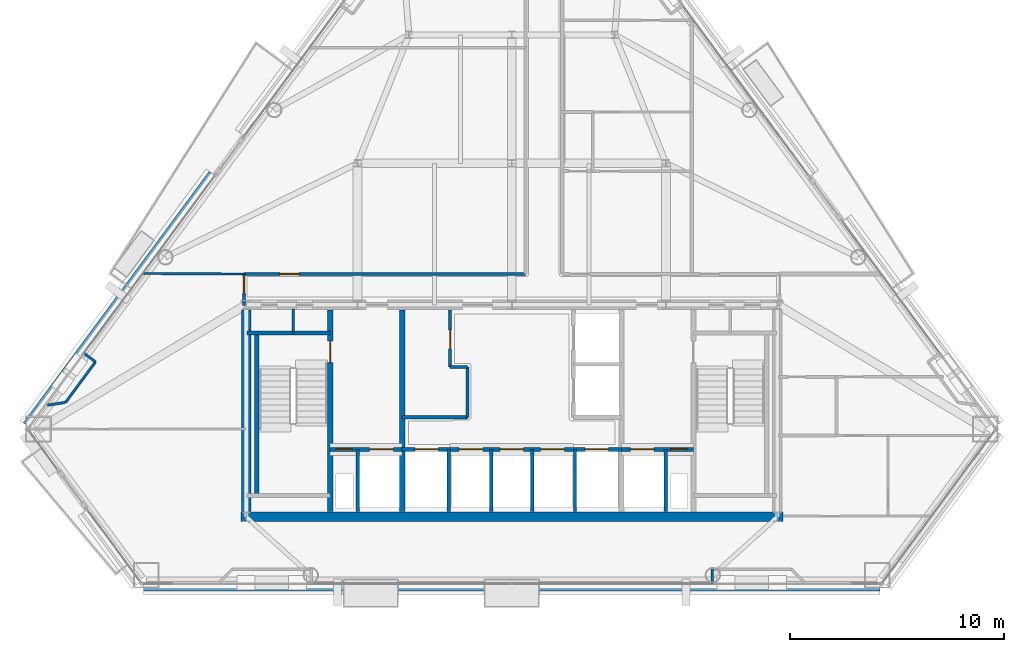
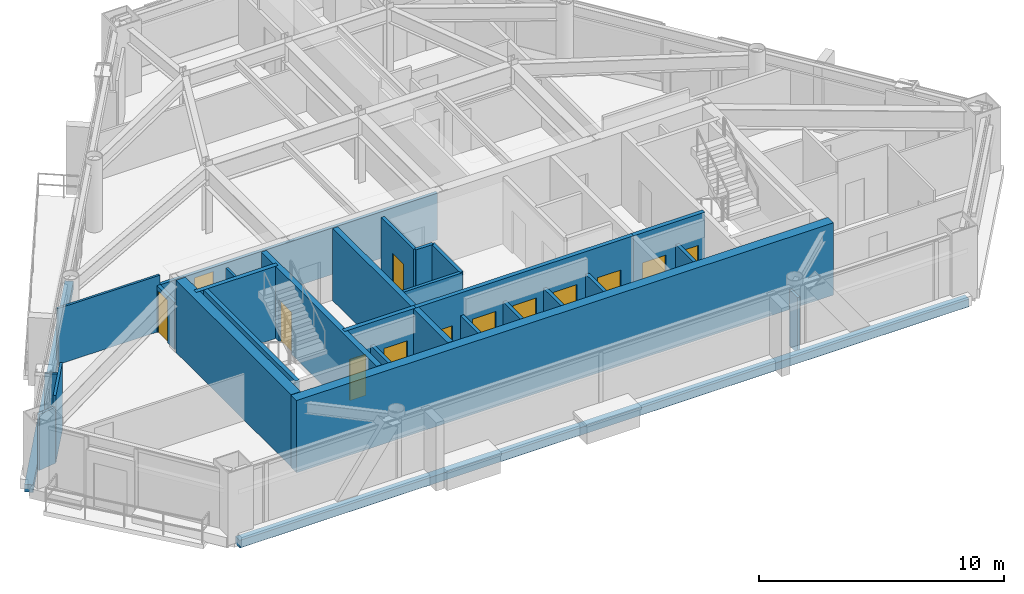
# One storey, part 7 of 11: 29 walls, 13 doors, 13 openings.
"""IFC4 building model written with IfcOpenShell, lengths in metres."""

import ifcopenshell
import ifcopenshell.guid

model = None  # the IFC model being written
_history = None  # IfcOwnerHistory: only IFC2X3 demands one
_inside = {}  # id of a spatial element -> (the spatial element, [elements in it])
_under = {}  # id of a project, library or spatial element -> (it, [spatial elements below it])
_declared = {}  # id of a project -> (the project, [libraries it declares])
_typed = {}  # id of a type object -> (the type object, [elements of that type])
_made_of = {}  # id of a material, layer set ... -> (it, [elements and type objects made of it])


def new_model(schema):
    """Start an empty IFC model of exactly this schema.

    Asked for "IFC4X3", IfcOpenShell would pick the latest addendum, in which some entities
    have other attributes; the version numbers below select the first issue.
    IFC2X3 requires an IfcOwnerHistory on every rooted entity: one is made here for all.
    """
    global model, _history
    if schema == "IFC4X3":
        model = ifcopenshell.file(schema_version=(4, 3, 0, 0))
    else:
        model = ifcopenshell.file(schema=schema)
    _inside.clear()
    _under.clear()
    _declared.clear()
    _typed.clear()
    _made_of.clear()
    _history = None
    if model.schema == "IFC2X3":
        org = make("IfcOrganization", Name="unknown")
        user = make(
            "IfcPersonAndOrganization",
            ThePerson=make("IfcPerson", FamilyName="unknown"),
            TheOrganization=org,
        )
        app = make(
            "IfcApplication",
            ApplicationDeveloper=org,
            Version="unknown",
            ApplicationFullName="unknown",
            ApplicationIdentifier="unknown",
        )
        _history = make(
            "IfcOwnerHistory",
            OwningUser=user,
            OwningApplication=app,
            ChangeAction="ADDED",
            CreationDate=0,
        )
    return model


def make(cls, **values):
    """One entity of the class cls with the attributes given. An attribute that is None is left unset."""
    return model.create_entity(
        cls, **{name: value for name, value in values.items() if value is not None}
    )


def rooted(cls, **values):
    """An entity with a GlobalId (a new one), such as an element, a storey or a relation."""
    return make(cls, GlobalId=ifcopenshell.guid.new(), OwnerHistory=_history, **values)


def si_unit(unit_type, name, prefix=None):
    """IfcSIUnit, for example si_unit("LENGTHUNIT", "METRE", prefix="MILLI")."""
    return make("IfcSIUnit", UnitType=unit_type, Prefix=prefix, Name=name)


def assignment(units):
    """IfcUnitAssignment: the units of a project."""
    return None if units is None else make("IfcUnitAssignment", Units=units)


def point(xyz):
    """IfcCartesianPoint."""
    return None if xyz is None else make("IfcCartesianPoint", Coordinates=xyz)


def direction(xyz):
    """IfcDirection."""
    return None if xyz is None else make("IfcDirection", DirectionRatios=xyz)


def frame(location, z_axis=None, x_axis=None):
    """IfcAxis2Placement3D, a coordinate frame: its origin and axes. An axis left out is left unset."""
    return make(
        "IfcAxis2Placement3D",
        Location=point(location),
        Axis=direction(z_axis),
        RefDirection=direction(x_axis),
    )


def frame_2d(location, x_axis=None):
    """IfcAxis2Placement2D, a coordinate frame in the plane: its origin and x axis."""
    return make(
        "IfcAxis2Placement2D", Location=point(location), RefDirection=direction(x_axis)
    )


def origin():
    """The frame at (0, 0, 0) with its axes left unset."""
    return frame((0.0, 0.0, 0.0))


def place(relative_to, where):
    """IfcLocalPlacement: puts the frame where relative to a parent placement (None: the world)."""
    return make(
        "IfcLocalPlacement", PlacementRelTo=relative_to, RelativePlacement=where
    )


def context(
    kind, dimensions, precision=None, world=None, true_north=None, identifier=None
):
    """IfcGeometricRepresentationContext, for example the 3D "Model" context."""
    return make(
        "IfcGeometricRepresentationContext",
        ContextIdentifier=identifier,
        ContextType=kind,
        CoordinateSpaceDimension=dimensions,
        Precision=precision,
        WorldCoordinateSystem=world,
        TrueNorth=true_north,
    )


def subcontext(parent, identifier, kind, view, scale=None):
    """IfcGeometricRepresentationSubContext, for example "Body" below "Model"."""
    return make(
        "IfcGeometricRepresentationSubContext",
        ContextIdentifier=identifier,
        ContextType=kind,
        ParentContext=parent,
        TargetScale=scale,
        TargetView=view,
    )


def project(units=None, contexts=None):
    """IfcProject with its units and contexts."""
    return rooted(
        "IfcProject",
        Name="project",
        RepresentationContexts=contexts,
        UnitsInContext=assignment(units),
    )


def spatial(cls, under=None, at=None, **own):
    """A site, building, storey or space (cls), placed at a placement, below another one or the project."""
    s = rooted(cls, ObjectPlacement=at, **own)
    if under is not None:
        _under.setdefault(under.id(), (under, []))[1].append(s)
    return s


def profile(cls, at=None, kind="AREA", **sizes):
    """A parametric profile (cls). Its sizes go by their IFC names, for example OverallWidth=200.0."""
    return make(cls, ProfileType=kind, Position=at, **sizes)


def rectangle(**sizes):
    """IfcRectangleProfileDef."""
    return profile("IfcRectangleProfileDef", **sizes)


def extrude(swept, where, along, depth):
    """IfcExtrudedAreaSolid: the profile swept, set in the frame where, extruded along a direction by depth."""
    return make(
        "IfcExtrudedAreaSolid",
        SweptArea=swept,
        Position=where,
        ExtrudedDirection=direction(along),
        Depth=depth,
    )


def shape(context_of_items, identifier, shape_type, items):
    """IfcShapeRepresentation: the items that make up one representation, for example the "Body"."""
    return make(
        "IfcShapeRepresentation",
        ContextOfItems=context_of_items,
        RepresentationIdentifier=identifier,
        RepresentationType=shape_type,
        Items=items,
    )


def material(Name=None, Category=None):
    """IfcMaterial."""
    return make("IfcMaterial", Name=Name, Category=Category)


def layer(
    of_material, thickness, ventilated=None, Name=None, Category=None, Priority=None
):
    """IfcMaterialLayer: one layer of a wall or slab, of a material (None: an air gap)."""
    return make(
        "IfcMaterialLayer",
        Material=of_material,
        LayerThickness=thickness,
        IsVentilated=ventilated,
        Name=Name,
        Category=Category,
        Priority=Priority,
    )


def layer_set(layers, Name=None):
    """IfcMaterialLayerSet."""
    return make("IfcMaterialLayerSet", MaterialLayers=layers, LayerSetName=Name)


def made_of(thing, what):
    """Note that an element or type object is made of a material, layer set ...; save() writes the relation."""
    if what is not None:
        _made_of.setdefault(what.id(), (what, []))[1].append(thing)
    return thing


def type_object(cls, material=None, **own):
    """A type object (cls), such as IfcWallType, which elements share."""
    return made_of(rooted(cls, **own), material)


def element(
    cls,
    number,
    at=None,
    inside=None,
    cuts=None,
    type_object=None,
    material=None,
    context=None,
    identifier="Body",
    shape_type=None,
    held_by="IfcProductDefinitionShape",
    body=None,
    shapes=None,
    **own,
):
    """One element of the class cls, such as IfcWall. Its Tag is "e" and its number.

    at: its placement. inside: the storey or other place that contains it. cuts: it is an
    opening in that element (IfcRelVoidsElement). A single representation is given by context,
    identifier, shape_type and body (its items); several are given by shapes. held_by: the class
    of the entity that holds the representations. save() writes the other relations.
    """
    e = rooted(cls, Tag="e%d" % number, ObjectPlacement=at, **own)
    if body is not None:
        shapes = [shape(context, identifier, shape_type, body)]
    if shapes is not None:
        e.Representation = make(held_by, Representations=shapes)
    if inside is not None:
        _inside.setdefault(inside.id(), (inside, []))[1].append(e)
    if cuts is not None:
        rooted(
            "IfcRelVoidsElement", RelatingBuildingElement=cuts, RelatedOpeningElement=e
        )
    if type_object is not None:
        _typed.setdefault(type_object.id(), (type_object, []))[1].append(e)
    return made_of(e, material)


def fill(opening, filler):
    """IfcRelFillsElement: the door or window that sits in an opening."""
    return rooted(
        "IfcRelFillsElement",
        RelatingOpeningElement=opening,
        RelatedBuildingElement=filler,
    )


def aggregate(whole, parts):
    """IfcRelAggregates: a whole, such as a stair, and the parts it consists of."""
    return rooted("IfcRelAggregates", RelatingObject=whole, RelatedObjects=parts)


def save(model, path):
    """Write the relations noted so far, then the file.

    IfcRelAggregates (storeys below a building ...), IfcRelContainedInSpatialStructure (elements
    in a storey), IfcRelDefinesByType, IfcRelAssociatesMaterial and IfcRelDeclares: one each for
    every whole, place, type object, material and project.
    """
    for whole, parts in _under.values():
        aggregate(whole, parts)
    for where, things in _inside.values():
        rooted(
            "IfcRelContainedInSpatialStructure",
            RelatedElements=things,
            RelatingStructure=where,
        )
    for kind, things in _typed.values():
        rooted("IfcRelDefinesByType", RelatedObjects=things, RelatingType=kind)
    for what, things in _made_of.values():
        rooted("IfcRelAssociatesMaterial", RelatedObjects=things, RelatingMaterial=what)
    for by, libraries in _declared.values():
        rooted("IfcRelDeclares", RelatingContext=by, RelatedDefinitions=libraries)
    model.write(path)


model = new_model("IFC4")

# Units and contexts
model_context = context("Model", 3, precision=1e-05, world=origin(), true_north=direction((0.0, 1.0)))
body_context = subcontext(model_context, "Body", "Model", "MODEL_VIEW")
ifc_project = project(units=[si_unit("LENGTHUNIT", "METRE"), si_unit("AREAUNIT", "SQUARE_METRE"), si_unit("VOLUMEUNIT", "CUBIC_METRE"), si_unit("PLANEANGLEUNIT", "RADIAN"), si_unit("MASSUNIT", "GRAM", prefix="KILO")], contexts=[model_context])

# Site, building, storey
site_placement = place(None, origin())
site = spatial("IfcSite", under=ifc_project, at=site_placement, CompositionType="ELEMENT")
building_placement = place(site_placement, origin())
building = spatial("IfcBuilding", under=site, at=building_placement, Name="Talgorran Terracotta Tower", CompositionType="ELEMENT")
storey_placement = place(building_placement, frame((0.0, 0.0, 136.5)))
storey = spatial("IfcBuildingStorey", under=building, at=storey_placement, Name="L35", CompositionType="ELEMENT", Elevation=136.5)

# Walls
ifc_material_1 = material(Name="Concrete C50/60", Category="concrete")
ifc_layer_1 = layer(ifc_material_1, 0.199951171875, Name="WT_CORE_200")
ifc_layer_set_1 = layer_set([ifc_layer_1], Name="Concrete C50/60")
wall_type_1 = type_object("IfcWallType", Name="WT_CORE_200", PredefinedType="SOLIDWALL", material=ifc_layer_set_1)
wall_1_placement = place(storey_placement, frame((-12.35009765625, -5.52001953125, 0.0), z_axis=(0.0, 0.0, 1.0), x_axis=(1.0, 0.0, 0.0)))
element("IfcWall", 1, at=wall_1_placement, inside=storey, type_object=wall_type_1, Name="WL-L35-CW-ST1-N", PredefinedType="SOLIDWALL", context=body_context, shape_type="SweptSolid", body=[
    extrude(rectangle(XDim=3.8701171875, YDim=0.199951171875, at=frame_2d((1.93505859375, 0.0))), origin(), (0.0, 0.0, 1.0), 3.60009765625),
])
wall_2_placement = place(storey_placement, frame((-11.89990234375, -13.10009765625, 0.0), z_axis=(0.0, 0.0, 1.0), x_axis=(0.0, 1.0, 0.0)))
element("IfcWall", 2, at=wall_2_placement, inside=storey, type_object=wall_type_1, Name="WL-L35-CW-ST1-W", PredefinedType="SOLIDWALL", context=body_context, shape_type="SweptSolid", body=[
    extrude(rectangle(XDim=7.580078125, YDim=0.199951171875, at=frame_2d((3.7900390625, 0.0))), origin(), (0.0, 0.0, 1.0), 3.60009765625),
])

# Wall, openings, doors
wall_3_placement = place(storey_placement, frame((-8.47998046875, -10.949951171875, 0.0), z_axis=(0.0, 0.0, 1.0), x_axis=(1.0, 0.0, 0.0)))
wall_3 = element("IfcWall", 3, at=wall_3_placement, inside=storey, type_object=wall_type_1, Name="WL-L35-CW-H-SBW", PredefinedType="SOLIDWALL", context=body_context, shape_type="SweptSolid", body=[
    extrude(rectangle(XDim=3.35986328125, YDim=0.199951171875, at=frame_2d((1.679931640625, 0.0))), origin(), (0.0, 0.0, 1.0), 3.60009765625),
])
opening_1_placement = place(wall_3_placement, frame((0.280029296875, 0.0, 0.0)))
opening_1 = element("IfcOpeningElement", 4, at=opening_1_placement, cuts=wall_3, Name="Opening DR-RSW", PredefinedType="OPENING", context=body_context, shape_type="SweptSolid", body=[
    extrude(rectangle(XDim=0.756, YDim=2.054048828125, at=frame_2d((0.375, 1.027099609375))), frame((0.0, 0.10986328125, 0.0), z_axis=(0.0, -1.0, 0.0), x_axis=(1.0, 0.0, 0.0)), (0.0, 0.0, 1.0), 0.219970703125),
])
opening_2_placement = place(wall_3_placement, frame((1.85009765625, 0.0, 0.0)))
opening_2 = element("IfcOpeningElement", 5, at=opening_2_placement, cuts=wall_3, Name="Opening LD-FFL1", PredefinedType="OPENING", context=body_context, shape_type="SweptSolid", body=[
    extrude(rectangle(XDim=1.10609765625, YDim=2.10409765625, at=frame_2d((0.550048828125, 1.052001953125))), frame((0.0, 0.10986328125, 0.0), z_axis=(0.0, -1.0, 0.0), x_axis=(1.0, 0.0, 0.0)), (0.0, 0.0, 1.0), 0.219970703125),
])
ifc_material_2 = material(Name="Brushed Stainless Steel Grade 304", Category="steel")
door_type_1 = type_object("IfcDoorType", Name="DT_LIFT_LD1100", OperationType="DOUBLE_DOOR_SLIDING", PredefinedType="DOOR", material=ifc_material_2)
door_1_placement = place(opening_2_placement, origin())
door_1 = element("IfcDoor", 6, at=door_1_placement, inside=storey, type_object=door_type_1, Name="L35 Lift Landing Door LD-FFL1", OperationType="DOUBLE_DOOR_SLIDING", OverallHeight=2.10009765625, OverallWidth=1.10009765625, PredefinedType="DOOR", context=body_context, shape_type="SweptSolid", body=[
    extrude(rectangle(XDim=1.10009765625, YDim=2.10009765625, at=frame_2d((0.550048828125, 1.050048828125))), frame((0.0, 0.02490234375, 0.0), z_axis=(0.0, -1.0, 0.0), x_axis=(1.0, 0.0, 0.0)), (0.0, 0.0, 1.0), 0.050048828125),
])
fill(opening_2, door_1)
ifc_material_3 = material(Name="Fire-Rated Pressed Steel", Category="steel")
door_type_2 = type_object("IfcDoorType", Name="DT_RISER_750", OperationType="NOTDEFINED", PredefinedType="DOOR", material=ifc_material_3)
door_2_placement = place(opening_1_placement, origin())
door_2 = element("IfcDoor", 7, at=door_2_placement, inside=storey, type_object=door_type_2, Name="DR-RSW", OperationType="SINGLE_SWING_LEFT", OverallHeight=2.050048828125, OverallWidth=0.75, PredefinedType="DOOR", context=body_context, shape_type="SweptSolid", body=[
    extrude(rectangle(XDim=0.75, YDim=2.050048828125, at=frame_2d((0.375, 1.02490234375))), frame((0.0, 0.02490234375, 0.0), z_axis=(0.0, -1.0, 0.0), x_axis=(1.0, 0.0, 0.0)), (0.0, 0.0, 1.0), 0.050048828125),
])
fill(opening_1, door_2)

wall_4_placement = place(storey_placement, frame((-5.1201171875, -10.949951171875, 0.0), z_axis=(0.0, 0.0, 1.0), x_axis=(1.0, 0.0, 0.0)))
wall_4 = element("IfcWall", 8, at=wall_4_placement, inside=storey, type_object=wall_type_1, Name="WL-L35-CW-H-SBC", PredefinedType="SOLIDWALL", context=body_context, shape_type="SweptSolid", body=[
    extrude(rectangle(XDim=10.240234375, YDim=0.199951171875, at=frame_2d((5.1201171875, 0.0))), origin(), (0.0, 0.0, 1.0), 3.60009765625),
])
opening_3_placement = place(wall_4_placement, frame((0.60009765625, 0.0, 0.0)))
opening_3 = element("IfcOpeningElement", 9, at=opening_3_placement, cuts=wall_4, Name="Opening LD-OB1", PredefinedType="OPENING", context=body_context, shape_type="SweptSolid", body=[
    extrude(rectangle(XDim=1.10609765625, YDim=2.10409765625, at=frame_2d((0.550048828125, 1.052001953125))), frame((0.0, 0.10986328125, 0.0), z_axis=(0.0, -1.0, 0.0), x_axis=(1.0, 0.0, 0.0)), (0.0, 0.0, 1.0), 0.219970703125),
])
opening_4_placement = place(wall_4_placement, frame((2.669921875, 0.0, 0.0)))
opening_4 = element("IfcOpeningElement", 10, at=opening_4_placement, cuts=wall_4, Name="Opening LD-PLH1", PredefinedType="OPENING", context=body_context, shape_type="SweptSolid", body=[
    extrude(rectangle(XDim=1.10609765625, YDim=2.10409765625, at=frame_2d((0.550048828125, 1.052001953125))), frame((0.0, 0.10986328125, 0.0), z_axis=(0.0, -1.0, 0.0), x_axis=(1.0, 0.0, 0.0)), (0.0, 0.0, 1.0), 0.219970703125),
])
opening_5_placement = place(wall_4_placement, frame((4.570068359375, 0.0, 0.0)))
opening_5 = element("IfcOpeningElement", 11, at=opening_5_placement, cuts=wall_4, Name="Opening LD-PLH2", PredefinedType="OPENING", context=body_context, shape_type="SweptSolid", body=[
    extrude(rectangle(XDim=1.10609765625, YDim=2.10409765625, at=frame_2d((0.550048828125, 1.052001953125))), frame((0.0, 0.10986328125, 0.0), z_axis=(0.0, -1.0, 0.0), x_axis=(1.0, 0.0, 0.0)), (0.0, 0.0, 1.0), 0.219970703125),
])
opening_6_placement = place(wall_4_placement, frame((6.469970703125, 0.0, 0.0)))
opening_6 = element("IfcOpeningElement", 12, at=opening_6_placement, cuts=wall_4, Name="Opening LD-PLH3", PredefinedType="OPENING", context=body_context, shape_type="SweptSolid", body=[
    extrude(rectangle(XDim=1.10609765625, YDim=2.10409765625, at=frame_2d((0.550048828125, 1.052001953125))), frame((0.0, 0.10986328125, 0.0), z_axis=(0.0, -1.0, 0.0), x_axis=(1.0, 0.0, 0.0)), (0.0, 0.0, 1.0), 0.219970703125),
])
opening_7_placement = place(wall_4_placement, frame((8.5400390625, 0.0, 0.0)))
opening_7 = element("IfcOpeningElement", 13, at=opening_7_placement, cuts=wall_4, Name="Opening LD-SVL1", PredefinedType="OPENING", context=body_context, shape_type="SweptSolid", body=[
    extrude(rectangle(XDim=1.10609765625, YDim=2.10409765625, at=frame_2d((0.550048828125, 1.052001953125))), frame((0.0, 0.10986328125, 0.0), z_axis=(0.0, -1.0, 0.0), x_axis=(1.0, 0.0, 0.0)), (0.0, 0.0, 1.0), 0.219970703125),
])
door_3_placement = place(opening_3_placement, origin())
door_3 = element("IfcDoor", 14, at=door_3_placement, inside=storey, type_object=door_type_1, Name="L35 Lift Landing Door LD-OB1", OperationType="DOUBLE_DOOR_SLIDING", OverallHeight=2.10009765625, OverallWidth=1.10009765625, PredefinedType="DOOR", context=body_context, shape_type="SweptSolid", body=[
    extrude(rectangle(XDim=1.10009765625, YDim=2.10009765625, at=frame_2d((0.550048828125, 1.050048828125))), frame((0.0, 0.02490234375, 0.0), z_axis=(0.0, -1.0, 0.0), x_axis=(1.0, 0.0, 0.0)), (0.0, 0.0, 1.0), 0.050048828125),
])
fill(opening_3, door_3)
door_4_placement = place(opening_4_placement, origin())
door_4 = element("IfcDoor", 15, at=door_4_placement, inside=storey, type_object=door_type_1, Name="L35 Lift Landing Door LD-PLH1", OperationType="DOUBLE_DOOR_SLIDING", OverallHeight=2.10009765625, OverallWidth=1.10009765625, PredefinedType="DOOR", context=body_context, shape_type="SweptSolid", body=[
    extrude(rectangle(XDim=1.10009765625, YDim=2.10009765625, at=frame_2d((0.550048828125, 1.050048828125))), frame((0.0, 0.02490234375, 0.0), z_axis=(0.0, -1.0, 0.0), x_axis=(1.0, 0.0, 0.0)), (0.0, 0.0, 1.0), 0.050048828125),
])
fill(opening_4, door_4)
door_5_placement = place(opening_5_placement, origin())
door_5 = element("IfcDoor", 16, at=door_5_placement, inside=storey, type_object=door_type_1, Name="L35 Lift Landing Door LD-PLH2", OperationType="DOUBLE_DOOR_SLIDING", OverallHeight=2.10009765625, OverallWidth=1.10009765625, PredefinedType="DOOR", context=body_context, shape_type="SweptSolid", body=[
    extrude(rectangle(XDim=1.10009765625, YDim=2.10009765625, at=frame_2d((0.550048828125, 1.050048828125))), frame((0.0, 0.02490234375, 0.0), z_axis=(0.0, -1.0, 0.0), x_axis=(1.0, 0.0, 0.0)), (0.0, 0.0, 1.0), 0.050048828125),
])
fill(opening_5, door_5)
door_6_placement = place(opening_6_placement, origin())
door_6 = element("IfcDoor", 17, at=door_6_placement, inside=storey, type_object=door_type_1, Name="L35 Lift Landing Door LD-PLH3", OperationType="DOUBLE_DOOR_SLIDING", OverallHeight=2.10009765625, OverallWidth=1.10009765625, PredefinedType="DOOR", context=body_context, shape_type="SweptSolid", body=[
    extrude(rectangle(XDim=1.10009765625, YDim=2.10009765625, at=frame_2d((0.550048828125, 1.050048828125))), frame((0.0, 0.02490234375, 0.0), z_axis=(0.0, -1.0, 0.0), x_axis=(1.0, 0.0, 0.0)), (0.0, 0.0, 1.0), 0.050048828125),
])
fill(opening_6, door_6)
door_7_placement = place(opening_7_placement, origin())
door_7 = element("IfcDoor", 18, at=door_7_placement, inside=storey, type_object=door_type_1, Name="L35 Lift Landing Door LD-SVL1", OperationType="DOUBLE_DOOR_SLIDING", OverallHeight=2.10009765625, OverallWidth=1.10009765625, PredefinedType="DOOR", context=body_context, shape_type="SweptSolid", body=[
    extrude(rectangle(XDim=1.10009765625, YDim=2.10009765625, at=frame_2d((0.550048828125, 1.050048828125))), frame((0.0, 0.02490234375, 0.0), z_axis=(0.0, -1.0, 0.0), x_axis=(1.0, 0.0, 0.0)), (0.0, 0.0, 1.0), 0.050048828125),
])
fill(opening_7, door_7)

wall_5_placement = place(storey_placement, frame((5.1201171875, -10.949951171875, 0.0), z_axis=(0.0, 0.0, 1.0), x_axis=(1.0, 0.0, 0.0)))
wall_5 = element("IfcWall", 19, at=wall_5_placement, inside=storey, type_object=wall_type_1, Name="WL-L35-CW-H-SBE", PredefinedType="SOLIDWALL", context=body_context, shape_type="SweptSolid", body=[
    extrude(rectangle(XDim=3.35986328125, YDim=0.199951171875, at=frame_2d((1.679931640625, 0.0))), origin(), (0.0, 0.0, 1.0), 3.60009765625),
])
opening_8_placement = place(wall_5_placement, frame((0.419921875, 0.0, 0.0)))
opening_8 = element("IfcOpeningElement", 20, at=opening_8_placement, cuts=wall_5, Name="Opening LD-FFL2", PredefinedType="OPENING", context=body_context, shape_type="SweptSolid", body=[
    extrude(rectangle(XDim=1.10609765625, YDim=2.10409765625, at=frame_2d((0.550048828125, 1.052001953125))), frame((0.0, 0.10986328125, 0.0), z_axis=(0.0, -1.0, 0.0), x_axis=(1.0, 0.0, 0.0)), (0.0, 0.0, 1.0), 0.219970703125),
])
opening_9_placement = place(wall_5_placement, frame((2.300048828125, 0.0, 0.0)))
opening_9 = element("IfcOpeningElement", 21, at=opening_9_placement, cuts=wall_5, Name="Opening DR-RSE", PredefinedType="OPENING", context=body_context, shape_type="SweptSolid", body=[
    extrude(rectangle(XDim=0.756, YDim=2.054048828125, at=frame_2d((0.375, 1.027099609375))), frame((0.0, 0.10986328125, 0.0), z_axis=(0.0, -1.0, 0.0), x_axis=(1.0, 0.0, 0.0)), (0.0, 0.0, 1.0), 0.219970703125),
])
door_8_placement = place(opening_8_placement, origin())
door_8 = element("IfcDoor", 22, at=door_8_placement, inside=storey, type_object=door_type_1, Name="L35 Lift Landing Door LD-FFL2", OperationType="DOUBLE_DOOR_SLIDING", OverallHeight=2.10009765625, OverallWidth=1.10009765625, PredefinedType="DOOR", context=body_context, shape_type="SweptSolid", body=[
    extrude(rectangle(XDim=1.10009765625, YDim=2.10009765625, at=frame_2d((0.550048828125, 1.050048828125))), frame((0.0, 0.02490234375, 0.0), z_axis=(0.0, -1.0, 0.0), x_axis=(1.0, 0.0, 0.0)), (0.0, 0.0, 1.0), 0.050048828125),
])
fill(opening_8, door_8)
door_9_placement = place(opening_9_placement, origin())
door_9 = element("IfcDoor", 23, at=door_9_placement, inside=storey, type_object=door_type_2, Name="DR-RSE", OperationType="SINGLE_SWING_RIGHT", OverallHeight=2.050048828125, OverallWidth=0.75, PredefinedType="DOOR", context=body_context, shape_type="SweptSolid", body=[
    extrude(rectangle(XDim=0.75, YDim=2.050048828125, at=frame_2d((0.375, 1.02490234375))), frame((0.0, 0.02490234375, 0.0), z_axis=(0.0, -1.0, 0.0), x_axis=(1.0, 0.0, 0.0)), (0.0, 0.0, 1.0), 0.050048828125),
])
fill(opening_9, door_9)

# Wall, opening, door
ifc_layer_2 = layer(ifc_material_1, 0.25, Name="WT_CORE_250")
ifc_layer_set_2 = layer_set([ifc_layer_2], Name="Concrete C50/60")
wall_type_2 = type_object("IfcWallType", Name="WT_CORE_250", PredefinedType="SHEAR", material=ifc_layer_set_2)
wall_6_placement = place(storey_placement, frame((-8.47998046875, -13.85009765625, 0.0), z_axis=(0.0, 0.0, 1.0), x_axis=(0.0, 1.0, 0.0)))
wall_6 = element("IfcWall", 24, at=wall_6_placement, inside=storey, type_object=wall_type_2, Name="WL-L35-CW-V-W1", PredefinedType="SHEAR", context=body_context, shape_type="SweptSolid", body=[
    extrude(rectangle(XDim=9.400146484375, YDim=0.25, at=frame_2d((4.7001953125, 0.0))), origin(), (0.0, 0.0, 1.0), 3.60009765625),
])
opening_10_placement = place(wall_6_placement, frame((6.949951171875, 0.0, 0.0)))
opening_10 = element("IfcOpeningElement", 25, at=opening_10_placement, cuts=wall_6, Name="Opening DR-ST01", PredefinedType="OPENING", context=body_context, shape_type="SweptSolid", body=[
    extrude(rectangle(XDim=1.006, YDim=2.10409765625, at=frame_2d((0.5, 1.052001953125))), frame((0.0, 0.135009765625, 0.0), z_axis=(0.0, -1.0, 0.0), x_axis=(1.0, 0.0, 0.0)), (0.0, 0.0, 1.0), 0.27001953125),
])
door_type_3 = type_object("IfcDoorType", Name="DT_FIRE_1000", OperationType="NOTDEFINED", PredefinedType="DOOR", material=ifc_material_3)
door_10_placement = place(opening_10_placement, origin())
door_10 = element("IfcDoor", 26, at=door_10_placement, inside=storey, type_object=door_type_3, Name="DR-ST01", OperationType="SINGLE_SWING_LEFT", OverallHeight=2.10009765625, OverallWidth=1.0, PredefinedType="DOOR", context=body_context, shape_type="SweptSolid", body=[
    extrude(rectangle(XDim=1.0, YDim=2.10009765625, at=frame_2d((0.5, 1.050048828125))), frame((0.0, 0.02490234375, 0.0), z_axis=(0.0, -1.0, 0.0), x_axis=(1.0, 0.0, 0.0)), (0.0, 0.0, 1.0), 0.050048828125),
])
fill(opening_10, door_10)

# Walls
wall_7_placement = place(storey_placement, frame((-5.1201171875, -13.85009765625, 0.0), z_axis=(0.0, 0.0, 1.0), x_axis=(0.0, 1.0, 0.0)))
element("IfcWall", 27, at=wall_7_placement, inside=storey, type_object=wall_type_2, Name="WL-L35-CW-V-W2", PredefinedType="SHEAR", context=body_context, shape_type="SweptSolid", body=[
    extrude(rectangle(XDim=9.400146484375, YDim=0.25, at=frame_2d((4.7001953125, 0.0))), origin(), (0.0, 0.0, 1.0), 3.60009765625),
])
ifc_material_4 = material(Name="Concrete C65/80", Category="concrete")
ifc_layer_3 = layer(ifc_material_4, 0.449951171875, Name="WT_CORE_EXT")
ifc_layer_set_3 = layer_set([ifc_layer_3], Name="Concrete C65/80")
wall_type_3 = type_object("IfcWallType", Name="WT_CORE_EXT", PredefinedType="SHEAR", material=ifc_layer_set_3)
wall_8_placement = place(storey_placement, frame((-12.64990234375, -14.10009765625, 0.0), z_axis=(0.0, 0.0, 1.0), x_axis=(1.0, 0.0, 0.0)))
element("IfcWall", 28, at=wall_8_placement, inside=storey, type_object=wall_type_3, Name="WL-L35-CW-OUT-S", PredefinedType="SHEAR", context=body_context, shape_type="SweptSolid", body=[
    extrude(rectangle(XDim=25.2998046875, YDim=0.449951171875, at=frame_2d((12.64990234375, 0.0))), origin(), (0.0, 0.0, 1.0), 3.60009765625),
])
wall_9_placement = place(storey_placement, frame((-12.39990234375, -13.85009765625, 0.0), z_axis=(0.0, 0.0, 1.0), x_axis=(0.0, 1.0, 0.0)))
element("IfcWall", 29, at=wall_9_placement, inside=storey, type_object=wall_type_3, Name="WL-L35-CW-OUT-W", PredefinedType="SHEAR", context=body_context, shape_type="SweptSolid", body=[
    extrude(rectangle(XDim=9.400146484375, YDim=0.449951171875, at=frame_2d((4.7001953125, 0.0))), origin(), (0.0, 0.0, 1.0), 3.60009765625),
])
ifc_material_5 = material(Name="Fire-Rated Steel Stud Plasterboard", Category="steel")
ifc_layer_4 = layer(ifc_material_5, 0.14990234375, Name="WT_FIRE_150")
ifc_layer_set_4 = layer_set([ifc_layer_4], Name="Fire-Rated Steel Stud Plasterboard")
wall_type_4 = type_object("IfcWallType", Name="WT_FIRE_150", PredefinedType="PARTITIONING", material=ifc_layer_set_4)
wall_10_placement = place(storey_placement, frame((-5.1201171875, -9.449951171875, 0.0), z_axis=(0.0, 0.0, 1.0), x_axis=(1.0, 0.0, 0.0)))
element("IfcWall", 30, at=wall_10_placement, inside=storey, type_object=wall_type_4, Name="WL-L35-CW-H-W4N", PredefinedType="PARTITIONING", context=body_context, shape_type="SweptSolid", body=[
    extrude(rectangle(XDim=3.06005859375, YDim=0.14990234375, at=frame_2d((1.530029296875, 0.0))), origin(), (0.0, 0.0, 1.0), 3.35009765625),
])
wall_11_placement = place(storey_placement, frame((-2.06005859375, -9.449951171875, 0.0), z_axis=(0.0, 0.0, 1.0), x_axis=(0.0, 1.0, 0.0)))
element("IfcWall", 31, at=wall_11_placement, inside=storey, type_object=wall_type_4, Name="WL-L35-CW-V-W3S2", PredefinedType="PARTITIONING", context=body_context, shape_type="SweptSolid", body=[
    extrude(rectangle(XDim=2.349853515625, YDim=0.14990234375, at=frame_2d((1.1748046875, 0.0))), origin(), (0.0, 0.0, 1.0), 3.35009765625),
])
wall_12_placement = place(storey_placement, frame((-2.8798828125, -7.10009765625, 0.0), z_axis=(0.0, 0.0, 1.0), x_axis=(1.0, 0.0, 0.0)))
element("IfcWall", 32, at=wall_12_placement, inside=storey, type_object=wall_type_4, Name="WL-L35-CW-H-W3M2", PredefinedType="PARTITIONING", context=body_context, shape_type="SweptSolid", body=[
    extrude(rectangle(XDim=0.81982421875, YDim=0.14990234375, at=frame_2d((0.409912109375, 0.0))), origin(), (0.0, 0.0, 1.0), 3.35009765625),
])

# Wall, opening, door
wall_13_placement = place(storey_placement, frame((-2.8798828125, -7.10009765625, 0.0), z_axis=(0.0, 0.0, 1.0), x_axis=(0.0, 1.0, 0.0)))
wall_13 = element("IfcWall", 33, at=wall_13_placement, inside=storey, type_object=wall_type_4, Name="WL-L35-CW-V-W3N", PredefinedType="PARTITIONING", context=body_context, shape_type="SweptSolid", body=[
    extrude(rectangle(XDim=2.650146484375, YDim=0.14990234375, at=frame_2d((1.3251953125, 0.0))), origin(), (0.0, 0.0, 1.0), 3.35009765625),
])
opening_11_placement = place(wall_13_placement, frame((0.85009765625, 0.0, 0.0)))
opening_11 = element("IfcOpeningElement", 34, at=opening_11_placement, cuts=wall_13, Name="Opening DR-FRPLL-B", PredefinedType="OPENING", context=body_context, shape_type="SweptSolid", body=[
    extrude(rectangle(XDim=0.8858828125, YDim=2.10409765625, at=frame_2d((0.43994140625, 1.052001953125))), frame((0.0, 0.0849609375, 0.0), z_axis=(0.0, -1.0, 0.0), x_axis=(1.0, 0.0, 0.0)), (0.0, 0.0, 1.0), 0.169921875),
])
ifc_material_6 = material(Name="Solid-Core Painted Timber", Category="wood")
door_type_4 = type_object("IfcDoorType", Name="DT_INT_880", OperationType="NOTDEFINED", PredefinedType="DOOR", material=ifc_material_6)
door_11_placement = place(opening_11_placement, origin())
door_11 = element("IfcDoor", 35, at=door_11_placement, inside=storey, type_object=door_type_4, Name="DR-FRPLL-B", OperationType="SINGLE_SWING_LEFT", OverallHeight=2.10009765625, OverallWidth=0.8798828125, PredefinedType="DOOR", context=body_context, shape_type="SweptSolid", body=[
    extrude(rectangle(XDim=0.8798828125, YDim=2.10009765625, at=frame_2d((0.43994140625, 1.050048828125))), frame((0.0, 0.02490234375, 0.0), z_axis=(0.0, -1.0, 0.0), x_axis=(1.0, 0.0, 0.0)), (0.0, 0.0, 1.0), 0.050048828125),
])
fill(opening_11, door_11)

wall_14_placement = place(storey_placement, frame((-12.5, -2.760009765625, 0.0), z_axis=(0.0, 0.0, 1.0), x_axis=(1.0, 0.0, 0.0)))
wall_14 = element("IfcWall", 36, at=wall_14_placement, inside=storey, type_object=wall_type_4, Name="WL-L35-W-L35-R02", PredefinedType="PARTITIONING", context=body_context, shape_type="SweptSolid", body=[
    extrude(rectangle(XDim=13.139892578125, YDim=0.14990234375, at=frame_2d((6.56982421875, 0.0))), origin(), (0.0, 0.0, 1.0), 2.324951171875),
])
opening_12_placement = place(wall_14_placement, frame((1.6748046875, 0.0, 0.0)))
opening_12 = element("IfcOpeningElement", 37, at=opening_12_placement, cuts=wall_14, Name="Opening DR-L35-R06", PredefinedType="OPENING", context=body_context, shape_type="SweptSolid", body=[
    extrude(rectangle(XDim=0.90590234375, YDim=2.10409765625, at=frame_2d((0.449951171875, 1.052001953125))), frame((0.0, 0.0849609375, 0.0), z_axis=(0.0, -1.0, 0.0), x_axis=(1.0, 0.0, 0.0)), (0.0, 0.0, 1.0), 0.169921875),
])
ifc_material_7 = material(Name="Fire-Rated Timber Core", Category="wood")
door_type_5 = type_object("IfcDoorType", Name="DT_FIRE_900", OperationType="NOTDEFINED", PredefinedType="DOOR", material=ifc_material_7)
door_12_placement = place(opening_12_placement, origin())
door_12 = element("IfcDoor", 38, at=door_12_placement, inside=storey, type_object=door_type_5, Name="DR-L35-R06", OperationType="SINGLE_SWING_RIGHT", OverallHeight=2.10009765625, OverallWidth=0.89990234375, PredefinedType="DOOR", context=body_context, shape_type="SweptSolid", body=[
    extrude(rectangle(XDim=0.89990234375, YDim=2.10009765625, at=frame_2d((0.449951171875, 1.050048828125))), frame((0.0, 0.02490234375, 0.0), z_axis=(0.0, -1.0, 0.0), x_axis=(1.0, 0.0, 0.0)), (0.0, 0.0, 1.0), 0.050048828125),
])
fill(opening_12, door_12)

wall_15_placement = place(storey_placement, frame((-12.5, -4.239990234375, 0.0), z_axis=(0.0, 0.0, 1.0), x_axis=(0.0, 1.0, 0.0)))
wall_15 = element("IfcWall", 39, at=wall_15_placement, inside=storey, type_object=wall_type_4, Name="WL-L35-W-L35-R13", PredefinedType="PARTITIONING", context=body_context, shape_type="SweptSolid", body=[
    extrude(rectangle(XDim=1.47998046875, YDim=0.14990234375, at=frame_2d((0.739990234375, 0.0))), origin(), (0.0, 0.0, 1.0), 2.324951171875),
])
opening_13_placement = place(wall_15_placement, frame((0.56005859375, 0.0, 0.0)))
opening_13 = element("IfcOpeningElement", 40, at=opening_13_placement, cuts=wall_15, Name="Opening DR-L35-R15", PredefinedType="OPENING", context=body_context, shape_type="SweptSolid", body=[
    extrude(rectangle(XDim=0.826068359375, YDim=2.10409765625, at=frame_2d((0.41015625, 1.052001953125))), frame((0.0, 0.0849609375, 0.0), z_axis=(0.0, -1.0, 0.0), x_axis=(1.0, 0.0, 0.0)), (0.0, 0.0, 1.0), 0.169921875),
])
ifc_material_8 = material(Name="Moisture-Resistant Solid Timber", Category="wood")
door_type_6 = type_object("IfcDoorType", Name="DT_INT_820", OperationType="NOTDEFINED", PredefinedType="DOOR", material=ifc_material_8)
door_13_placement = place(opening_13_placement, origin())
door_13 = element("IfcDoor", 41, at=door_13_placement, inside=storey, type_object=door_type_6, Name="DR-L35-R15", OperationType="SINGLE_SWING_LEFT", OverallHeight=2.10009765625, OverallWidth=0.820068359375, PredefinedType="DOOR", context=body_context, shape_type="SweptSolid", body=[
    extrude(rectangle(XDim=0.820068359375, YDim=2.10009765625, at=frame_2d((0.41015625, 1.050048828125))), frame((0.0, 0.02490234375, 0.0), z_axis=(0.0, -1.0, 0.0), x_axis=(1.0, 0.0, 0.0)), (0.0, 0.0, 1.0), 0.050048828125),
])
fill(opening_13, door_13)

# Walls
ifc_material_9 = material(Name="Concrete C40/50", Category="concrete")
ifc_layer_5 = layer(ifc_material_9, 0.219970703125, Name="WT_PARAPET_RC")
ifc_layer_set_5 = layer_set([ifc_layer_5], Name="Concrete C40/50")
wall_type_5 = type_object("IfcWallType", Name="WT_PARAPET_RC", PredefinedType="PARAPET", material=ifc_layer_set_5)
wall_16_placement = place(storey_placement, frame((-17.1787109375, -17.37890625, -0.199951171875), z_axis=(0.0, 0.0, 1.0), x_axis=(1.0, 0.0, 0.0)))
element("IfcWall", 42, at=wall_16_placement, inside=storey, type_object=wall_type_5, Name="L35 Striped Portal Precast Cornice F1", PredefinedType="PARAPET", context=body_context, shape_type="SweptSolid", body=[
    extrude(rectangle(XDim=34.357421875, YDim=0.360107421875, at=frame_2d((17.1787109375, 0.0))), origin(), (0.0, 0.0, 1.0), 0.3798828125),
])
wall_17_placement = place(storey_placement, frame((-13.986083984375, 1.915283203125, -0.199951171875), z_axis=(0.0, 0.0, 1.0), x_axis=(-0.594360924603, -0.804198415383, 0.0)))
element("IfcWall", 43, at=wall_17_placement, inside=storey, type_object=wall_type_5, Name="L35 Striped Portal Precast Cornice F61", PredefinedType="PARAPET", context=body_context, shape_type="SweptSolid", body=[
    extrude(rectangle(XDim=14.578369140625, YDim=0.360107421875, at=frame_2d((7.2890625, 0.0))), origin(), (0.0, 0.0, 1.0), 0.3798828125),
])
ifc_material_10 = material(Name="Lightweight Steel Stud Partition", Category="steel")
ifc_layer_6 = layer(ifc_material_10, 0.10498046875, Name="WT_PART_110")
ifc_layer_set_6 = layer_set([ifc_layer_6], Name="Lightweight Steel Stud Partition")
wall_type_6 = type_object("IfcWallType", Name="WT_PART_110", PredefinedType="PARTITIONING", material=ifc_layer_set_6)
wall_18_placement = place(storey_placement, frame((-17.22802734375, -2.740234375, 0.0), z_axis=(0.0, 0.0, 1.0), x_axis=(0.999991471145, -0.004130089188, 0.0)))
element("IfcWall", 44, at=wall_18_placement, inside=storey, type_object=wall_type_6, Name="WL-L35-W-L35-R24", PredefinedType="PARTITIONING", context=body_context, shape_type="SweptSolid", body=[
    extrude(rectangle(XDim=4.7880859375, YDim=0.10498046875, at=frame_2d((2.39404296875, 0.0))), origin(), (0.0, 0.0, 1.0), 2.7919921875),
])
ifc_material_11 = material(Name="Insulated Steel Stud Plasterboard", Category="steel")
ifc_layer_7 = layer(ifc_material_11, 0.1201171875, Name="WT_PART_120")
ifc_layer_set_7 = layer_set([ifc_layer_7], Name="Insulated Steel Stud Plasterboard")
wall_type_7 = type_object("IfcWallType", Name="WT_PART_120", PredefinedType="PARTITIONING", material=ifc_layer_set_7)
wall_19_placement = place(storey_placement, frame((-10.199951171875, -5.52001953125, 0.0), z_axis=(0.0, 0.0, 1.0), x_axis=(0.0, 1.0, 0.0)))
element("IfcWall", 45, at=wall_19_placement, inside=storey, type_object=wall_type_7, Name="WL-L35-CW-CSW-DIV", PredefinedType="PARTITIONING", context=body_context, shape_type="SweptSolid", body=[
    extrude(rectangle(XDim=1.1201171875, YDim=0.1201171875, at=frame_2d((0.56005859375, 0.0))), origin(), (0.0, 0.0, 1.0), 3.35009765625),
])
wall_20_placement = place(storey_placement, frame((-19.429931640625, -6.863525390625, 0.0), z_axis=(0.0, 0.0, 1.0), x_axis=(-0.594335579712, -0.804217146477, 0.0)))
element("IfcWall", 46, at=wall_20_placement, inside=storey, type_object=wall_type_7, Name="WL-L35-BW-L35-08", PredefinedType="PARTITIONING", context=body_context, shape_type="SweptSolid", body=[
    extrude(rectangle(XDim=2.350830078125, YDim=0.1201171875, at=frame_2d((1.17529296875, 0.0))), origin(), (0.0, 0.0, 1.0), 3.35009765625),
])
wall_21_placement = place(storey_placement, frame((-20.8271484375, -8.754150390625, 0.0), z_axis=(0.0, 0.0, 1.0), x_axis=(-0.988724532677, -0.149745779513, 0.0)))
element("IfcWall", 47, at=wall_21_placement, inside=storey, type_object=wall_type_7, Name="WL-L35-BW-L35-09", PredefinedType="PARTITIONING", context=body_context, shape_type="SweptSolid", body=[
    extrude(rectangle(XDim=0.849365234375, YDim=0.1201171875, at=frame_2d((0.4248046875, 0.0))), origin(), (0.0, 0.0, 1.0), 2.7919921875),
])
wall_22_placement = place(storey_placement, frame((-19.96875, -6.46533203125, 0.0), z_axis=(0.0, 0.0, 1.0), x_axis=(0.804221577226, -0.594329584257, 0.0)))
element("IfcWall", 48, at=wall_22_placement, inside=storey, type_object=wall_type_7, Name="WL-L35-BW-L35-07", PredefinedType="PARTITIONING", context=body_context, shape_type="SweptSolid", body=[
    extrude(rectangle(XDim=0.669921875, YDim=0.1201171875, at=frame_2d((0.3349609375, 0.0))), origin(), (0.0, 0.0, 1.0), 2.7919921875),
])
wall_23_placement = place(storey_placement, frame((9.3583984375, -17.208984375, 0.0), z_axis=(0.0, 0.0, 1.0), x_axis=(0.0, 1.0, 0.0)))
element("IfcWall", 49, at=wall_23_placement, inside=storey, type_object=wall_type_7, Name="WL-L35-BW-L35-05", PredefinedType="PARTITIONING", context=body_context, shape_type="SweptSolid", body=[
    extrude(rectangle(XDim=0.670166015625, YDim=0.1201171875, at=frame_2d((0.3349609375, 0.0))), origin(), (0.0, 0.0, 1.0), 2.7919921875),
])
ifc_material_12 = material(Name="Fire-Rated Shaftwall")
ifc_layer_8 = layer(ifc_material_12, 0.159912109375, Name="WT_PART_150")
ifc_layer_set_8 = layer_set([ifc_layer_8], Name="Fire-Rated Shaftwall")
wall_type_8 = type_object("IfcWallType", Name="WT_PART_150", PredefinedType="PARTITIONING", material=ifc_layer_set_8)
for number, where, z_axis, x_axis, name in (
    (50, (-7.179931640625, -13.85009765625, 0.0), (0.0, 0.0, 1.0), (0.0, 1.0, 0.0), "WL-L35-CW-RSW"),
    (51, (7.179931640625, -13.85009765625, 0.0), (0.0, 0.0, 1.0), (0.0, 1.0, 0.0), "WL-L35-CW-RSE"),
    (52, (-2.949951171875, -13.85009765625, 0.0), (0.0, 0.0, 1.0), (0.0, 1.0, 0.0), "WL-L35-CW-OB-E"),
    (53, (2.949951171875, -13.85009765625, 0.0), (0.0, 0.0, 1.0), (0.0, 1.0, 0.0), "WL-L35-CW-SV-W"),
    (54, (-0.949951171875, -13.85009765625, 0.0), (0.0, 0.0, 1.0), (0.0, 1.0, 0.0), "WL-L35-CW-PLH-D1"),
    (55, (0.949951171875, -13.85009765625, 0.0), (0.0, 0.0, 1.0), (0.0, 1.0, 0.0), "WL-L35-CW-PLH-D2"),
):
    element("IfcWall", number, at=place(storey_placement, frame(where, z_axis=z_axis, x_axis=x_axis)), inside=storey, type_object=wall_type_8, Name=name, PredefinedType="PARTITIONING", context=body_context, shape_type="SweptSolid", body=[
        extrude(rectangle(XDim=2.900146484375, YDim=0.159912109375, at=frame_2d((1.4501953125, 0.0))), origin(), (0.0, 0.0, 1.0), 2.47509765625),
    ])

save(model, "model.ifc")
